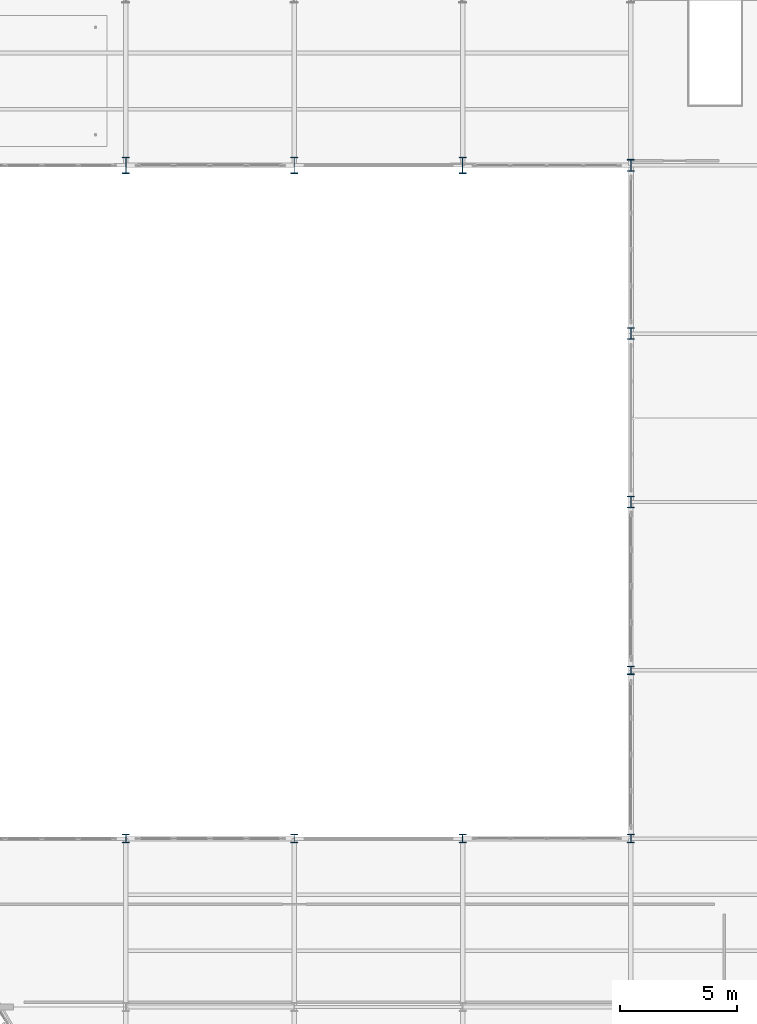
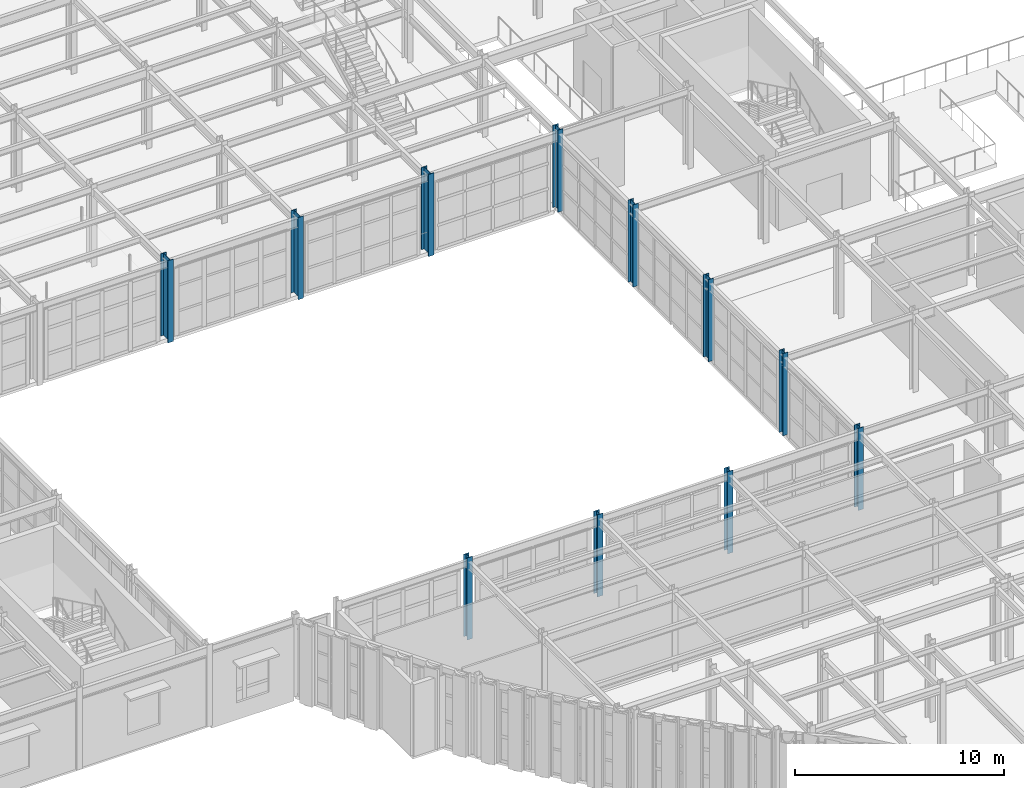
# One storey, part 3 of 121: 11 columns.
"""IFC4 building model written with IfcOpenShell, lengths in metres."""

import ifcopenshell
import ifcopenshell.guid

model = None  # the IFC model being written
_history = None  # IfcOwnerHistory: only IFC2X3 demands one
_inside = {}  # id of a spatial element -> (the spatial element, [elements in it])
_under = {}  # id of a project, library or spatial element -> (it, [spatial elements below it])
_declared = {}  # id of a project -> (the project, [libraries it declares])
_typed = {}  # id of a type object -> (the type object, [elements of that type])
_made_of = {}  # id of a material, layer set ... -> (it, [elements and type objects made of it])


def new_model(schema):
    """Start an empty IFC model of exactly this schema.

    Asked for "IFC4X3", IfcOpenShell would pick the latest addendum, in which some entities
    have other attributes; the version numbers below select the first issue.
    IFC2X3 requires an IfcOwnerHistory on every rooted entity: one is made here for all.
    """
    global model, _history
    if schema == "IFC4X3":
        model = ifcopenshell.file(schema_version=(4, 3, 0, 0))
    else:
        model = ifcopenshell.file(schema=schema)
    _inside.clear()
    _under.clear()
    _declared.clear()
    _typed.clear()
    _made_of.clear()
    _history = None
    if model.schema == "IFC2X3":
        org = make("IfcOrganization", Name="unknown")
        user = make(
            "IfcPersonAndOrganization",
            ThePerson=make("IfcPerson", FamilyName="unknown"),
            TheOrganization=org,
        )
        app = make(
            "IfcApplication",
            ApplicationDeveloper=org,
            Version="unknown",
            ApplicationFullName="unknown",
            ApplicationIdentifier="unknown",
        )
        _history = make(
            "IfcOwnerHistory",
            OwningUser=user,
            OwningApplication=app,
            ChangeAction="ADDED",
            CreationDate=0,
        )
    return model


def make(cls, **values):
    """One entity of the class cls with the attributes given. An attribute that is None is left unset."""
    return model.create_entity(
        cls, **{name: value for name, value in values.items() if value is not None}
    )


def rooted(cls, **values):
    """An entity with a GlobalId (a new one), such as an element, a storey or a relation."""
    return make(cls, GlobalId=ifcopenshell.guid.new(), OwnerHistory=_history, **values)


def si_unit(unit_type, name, prefix=None):
    """IfcSIUnit, for example si_unit("LENGTHUNIT", "METRE", prefix="MILLI")."""
    return make("IfcSIUnit", UnitType=unit_type, Prefix=prefix, Name=name)


def assignment(units):
    """IfcUnitAssignment: the units of a project."""
    return None if units is None else make("IfcUnitAssignment", Units=units)


def point(xyz):
    """IfcCartesianPoint."""
    return None if xyz is None else make("IfcCartesianPoint", Coordinates=xyz)


def direction(xyz):
    """IfcDirection."""
    return None if xyz is None else make("IfcDirection", DirectionRatios=xyz)


def frame(location, z_axis=None, x_axis=None):
    """IfcAxis2Placement3D, a coordinate frame: its origin and axes. An axis left out is left unset."""
    return make(
        "IfcAxis2Placement3D",
        Location=point(location),
        Axis=direction(z_axis),
        RefDirection=direction(x_axis),
    )


def frame_2d(location, x_axis=None):
    """IfcAxis2Placement2D, a coordinate frame in the plane: its origin and x axis."""
    return make(
        "IfcAxis2Placement2D", Location=point(location), RefDirection=direction(x_axis)
    )


def origin():
    """The frame at (0, 0, 0) with its axes left unset."""
    return frame((0.0, 0.0, 0.0))


def origin_2d():
    """The frame at (0, 0) in the plane with its x axis left unset."""
    return frame_2d((0.0, 0.0))


def place(relative_to, where):
    """IfcLocalPlacement: puts the frame where relative to a parent placement (None: the world)."""
    return make(
        "IfcLocalPlacement", PlacementRelTo=relative_to, RelativePlacement=where
    )


def context(
    kind, dimensions, precision=None, world=None, true_north=None, identifier=None
):
    """IfcGeometricRepresentationContext, for example the 3D "Model" context."""
    return make(
        "IfcGeometricRepresentationContext",
        ContextIdentifier=identifier,
        ContextType=kind,
        CoordinateSpaceDimension=dimensions,
        Precision=precision,
        WorldCoordinateSystem=world,
        TrueNorth=true_north,
    )


def subcontext(parent, identifier, kind, view, scale=None):
    """IfcGeometricRepresentationSubContext, for example "Body" below "Model"."""
    return make(
        "IfcGeometricRepresentationSubContext",
        ContextIdentifier=identifier,
        ContextType=kind,
        ParentContext=parent,
        TargetScale=scale,
        TargetView=view,
    )


def project(units=None, contexts=None):
    """IfcProject with its units and contexts."""
    return rooted(
        "IfcProject",
        Name="project",
        RepresentationContexts=contexts,
        UnitsInContext=assignment(units),
    )


def spatial(cls, under=None, at=None, **own):
    """A site, building, storey or space (cls), placed at a placement, below another one or the project."""
    s = rooted(cls, ObjectPlacement=at, **own)
    if under is not None:
        _under.setdefault(under.id(), (under, []))[1].append(s)
    return s


def profile(cls, at=None, kind="AREA", **sizes):
    """A parametric profile (cls). Its sizes go by their IFC names, for example OverallWidth=200.0."""
    return make(cls, ProfileType=kind, Position=at, **sizes)


def i_section(**sizes):
    """IfcIShapeProfileDef."""
    return profile("IfcIShapeProfileDef", **sizes)


def extrude(swept, where, along, depth):
    """IfcExtrudedAreaSolid: the profile swept, set in the frame where, extruded along a direction by depth."""
    return make(
        "IfcExtrudedAreaSolid",
        SweptArea=swept,
        Position=where,
        ExtrudedDirection=direction(along),
        Depth=depth,
    )


def shape(context_of_items, identifier, shape_type, items):
    """IfcShapeRepresentation: the items that make up one representation, for example the "Body"."""
    return make(
        "IfcShapeRepresentation",
        ContextOfItems=context_of_items,
        RepresentationIdentifier=identifier,
        RepresentationType=shape_type,
        Items=items,
    )


def material(Name=None, Category=None):
    """IfcMaterial."""
    return make("IfcMaterial", Name=Name, Category=Category)


def material_profile(
    of_material, cross_section, Name=None, Category=None, Priority=None
):
    """IfcMaterialProfile: a cross section and its material."""
    return make(
        "IfcMaterialProfile",
        Name=Name,
        Material=of_material,
        Profile=cross_section,
        Priority=Priority,
        Category=Category,
    )


def profile_set(profiles, Name=None, composite=None):
    """IfcMaterialProfileSet."""
    return make(
        "IfcMaterialProfileSet",
        Name=Name,
        MaterialProfiles=profiles,
        CompositeProfile=composite,
    )


def made_of(thing, what):
    """Note that an element or type object is made of a material, layer set ...; save() writes the relation."""
    if what is not None:
        _made_of.setdefault(what.id(), (what, []))[1].append(thing)
    return thing


def type_object(cls, material=None, **own):
    """A type object (cls), such as IfcWallType, which elements share."""
    return made_of(rooted(cls, **own), material)


def element(
    cls,
    number,
    at=None,
    inside=None,
    cuts=None,
    type_object=None,
    material=None,
    context=None,
    identifier="Body",
    shape_type=None,
    held_by="IfcProductDefinitionShape",
    body=None,
    shapes=None,
    **own,
):
    """One element of the class cls, such as IfcWall. Its Tag is "e" and its number.

    at: its placement. inside: the storey or other place that contains it. cuts: it is an
    opening in that element (IfcRelVoidsElement). A single representation is given by context,
    identifier, shape_type and body (its items); several are given by shapes. held_by: the class
    of the entity that holds the representations. save() writes the other relations.
    """
    e = rooted(cls, Tag="e%d" % number, ObjectPlacement=at, **own)
    if body is not None:
        shapes = [shape(context, identifier, shape_type, body)]
    if shapes is not None:
        e.Representation = make(held_by, Representations=shapes)
    if inside is not None:
        _inside.setdefault(inside.id(), (inside, []))[1].append(e)
    if cuts is not None:
        rooted(
            "IfcRelVoidsElement", RelatingBuildingElement=cuts, RelatedOpeningElement=e
        )
    if type_object is not None:
        _typed.setdefault(type_object.id(), (type_object, []))[1].append(e)
    return made_of(e, material)


def aggregate(whole, parts):
    """IfcRelAggregates: a whole, such as a stair, and the parts it consists of."""
    return rooted("IfcRelAggregates", RelatingObject=whole, RelatedObjects=parts)


def save(model, path):
    """Write the relations noted so far, then the file.

    IfcRelAggregates (storeys below a building ...), IfcRelContainedInSpatialStructure (elements
    in a storey), IfcRelDefinesByType, IfcRelAssociatesMaterial and IfcRelDeclares: one each for
    every whole, place, type object, material and project.
    """
    for whole, parts in _under.values():
        aggregate(whole, parts)
    for where, things in _inside.values():
        rooted(
            "IfcRelContainedInSpatialStructure",
            RelatedElements=things,
            RelatingStructure=where,
        )
    for kind, things in _typed.values():
        rooted("IfcRelDefinesByType", RelatedObjects=things, RelatingType=kind)
    for what, things in _made_of.values():
        rooted("IfcRelAssociatesMaterial", RelatedObjects=things, RelatingMaterial=what)
    for by, libraries in _declared.values():
        rooted("IfcRelDeclares", RelatingContext=by, RelatedDefinitions=libraries)
    model.write(path)


model = new_model("IFC4")

# Units and contexts
model_context = context("Model", 3, precision=1e-05, world=origin(), true_north=direction((0.0, 1.0)))
body_context = subcontext(model_context, "Body", "Model", "MODEL_VIEW")
ifc_project = project(units=[si_unit("LENGTHUNIT", "METRE"), si_unit("AREAUNIT", "SQUARE_METRE"), si_unit("VOLUMEUNIT", "CUBIC_METRE"), si_unit("PLANEANGLEUNIT", "RADIAN"), si_unit("MASSUNIT", "GRAM", prefix="KILO")], contexts=[model_context])

# Site, building, storey
site_placement = place(None, origin())
site = spatial("IfcSite", under=ifc_project, at=site_placement, CompositionType="ELEMENT")
building_placement = place(site_placement, origin())
building = spatial("IfcBuilding", under=site, at=building_placement, Name="Solvadek Multi-Sports Hall", CompositionType="ELEMENT")
storey_placement = place(building_placement, frame((0.0, 0.0, 4.800048828125)))
storey = spatial("IfcBuildingStorey", under=building, at=storey_placement, Name="L01", CompositionType="ELEMENT", Elevation=4.800048828125)

# Columns
ifc_material = material(Name="Steel E350 (350 MPa)", Category="steel")
ifc_material_profile_1 = material_profile(ifc_material, i_section(OverallWidth=0.300048828125, OverallDepth=0.360107421875, WebThickness=0.012451171875, FlangeThickness=0.0224609375, at=origin_2d()), Name="WPB 360")
ifc_profile_set_1 = profile_set([ifc_material_profile_1], Name="Steel E350 (350 MPa)")
column_type_1 = type_object("IfcColumnType", Name="STR-COL-WPB360", PredefinedType="COLUMN", material=ifc_profile_set_1)
for number, where, z_axis, x_axis, name in (
    (1, (36.0, 20.39990234375, 0.0), (0.0, 0.0, 1.0), (1.0, 0.0, 0.0), "L01 Column C-08 #68"),
    (2, (43.199951171875, 20.39990234375, 0.0), (0.0, 0.0, 1.0), (1.0, 0.0, 0.0), "L01 Column C-08 #84"),
    (3, (50.39990234375, 20.39990234375, 0.0), (0.0, 0.0, 1.0), (1.0, 0.0, 0.0), "L01 Column C-08 #100"),
    (4, (57.60009765625, 20.39990234375, 0.0), (0.0, 0.0, 1.0), (1.0, 0.0, 0.0), "L01 Column C-08 #116"),
    (5, (57.60009765625, 27.60009765625, 0.0), (0.0, 0.0, 1.0), (1.0, 0.0, 0.0), "L01 Column C-08 #117"),
):
    element("IfcColumn", number, at=place(storey_placement, frame(where, z_axis=z_axis, x_axis=x_axis)), inside=storey, type_object=column_type_1, Name=name, PredefinedType="COLUMN", context=body_context, shape_type="SweptSolid", body=[
        extrude(i_section(OverallWidth=0.300048828125, OverallDepth=0.360107421875, WebThickness=0.012451171875, FlangeThickness=0.0224609375, at=origin_2d()), origin(), (0.0, 0.0, 1.0), 4.800048828125),
    ])
ifc_material_profile_2 = material_profile(ifc_material, i_section(OverallWidth=0.300048828125, OverallDepth=0.5, WebThickness=0.014404296875, FlangeThickness=0.028076171875, at=origin_2d()), Name="WPB 500")
ifc_profile_set_2 = profile_set([ifc_material_profile_2], Name="Steel E350 (350 MPa)")
column_type_2 = type_object("IfcColumnType", Name="STR-COL-WPB500", PredefinedType="COLUMN", material=ifc_profile_set_2)
for number, where, z_axis, x_axis, name in (
    (6, (57.60009765625, 34.800048828125, 0.0), (0.0, 0.0, 1.0), (1.0, 0.0, 0.0), "L01 Column C-05 #118"),
    (7, (57.60009765625, 42.0, 0.0), (0.0, 0.0, 1.0), (1.0, 0.0, 0.0), "L01 Column C-05 #119"),
    (8, (57.60009765625, 49.199951171875, 0.0), (0.0, 0.0, 1.0), (1.0, 0.0, 0.0), "L01 Column C-05 #120"),
):
    element("IfcColumn", number, at=place(storey_placement, frame(where, z_axis=z_axis, x_axis=x_axis)), inside=storey, type_object=column_type_2, Name=name, PredefinedType="COLUMN", context=body_context, shape_type="SweptSolid", body=[
        extrude(i_section(OverallWidth=0.300048828125, OverallDepth=0.5, WebThickness=0.014404296875, FlangeThickness=0.028076171875, at=origin_2d()), origin(), (0.0, 0.0, 1.0), 4.800048828125),
    ])
ifc_material_profile_3 = material_profile(ifc_material, i_section(OverallWidth=0.300048828125, OverallDepth=0.699951171875, WebThickness=0.01708984375, FlangeThickness=0.031982421875, at=origin_2d()), Name="WPB 700")
ifc_profile_set_3 = profile_set([ifc_material_profile_3], Name="Steel E350 (350 MPa)")
column_type_3 = type_object("IfcColumnType", Name="STR-COL-WPB700", PredefinedType="COLUMN", material=ifc_profile_set_3)
for number, where, z_axis, x_axis, name in (
    (9, (36.0, 49.199951171875, 0.0), (0.0, 0.0, 1.0), (1.0, 0.0, 0.0), "L01 Column C-02 #72"),
    (10, (43.199951171875, 49.199951171875, 0.0), (0.0, 0.0, 1.0), (1.0, 0.0, 0.0), "L01 Column C-02 #88"),
    (11, (50.39990234375, 49.199951171875, 0.0), (0.0, 0.0, 1.0), (1.0, 0.0, 0.0), "L01 Column C-02 #104"),
):
    element("IfcColumn", number, at=place(storey_placement, frame(where, z_axis=z_axis, x_axis=x_axis)), inside=storey, type_object=column_type_3, Name=name, PredefinedType="COLUMN", context=body_context, shape_type="SweptSolid", body=[
        extrude(i_section(OverallWidth=0.300048828125, OverallDepth=0.699951171875, WebThickness=0.01708984375, FlangeThickness=0.031982421875, at=origin_2d()), origin(), (0.0, 0.0, 1.0), 4.800048828125),
    ])

save(model, "model.ifc")
